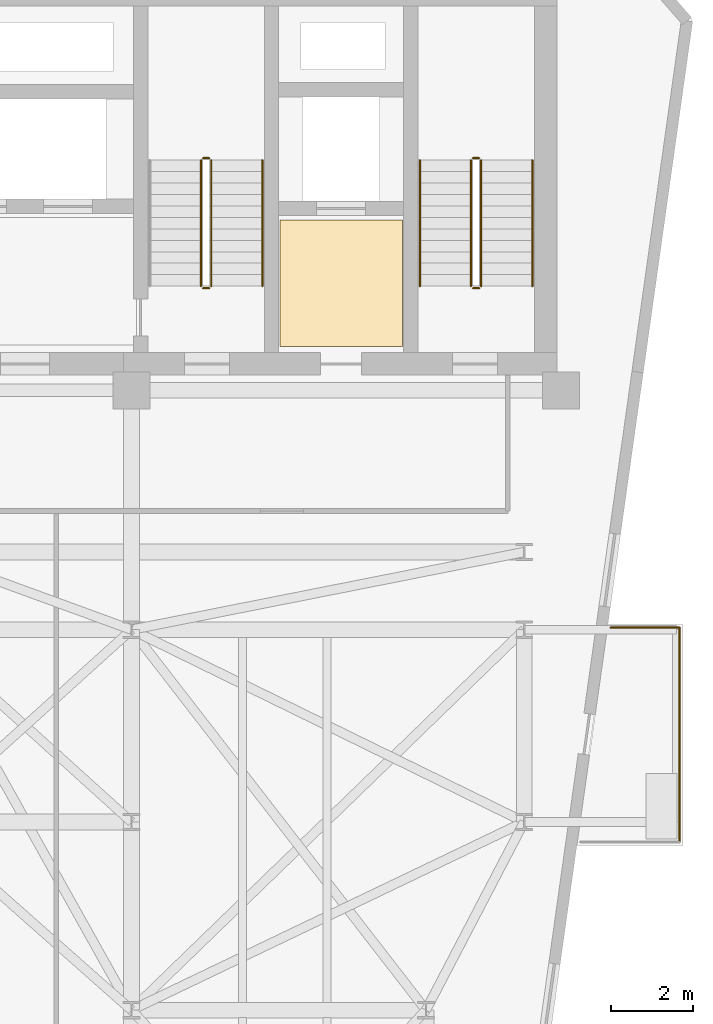
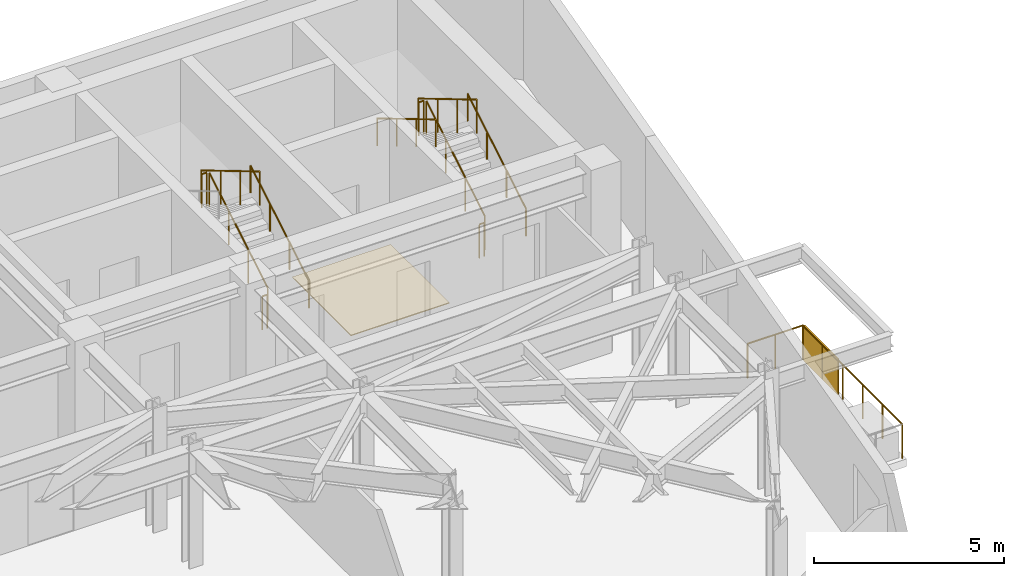
# One storey, part 21 of 21: 13 railings, 1 covering, 1 shading device.
"""IFC4 building model written with IfcOpenShell, lengths in metres."""

from ifc_helpers import new_model, si_unit, direction, frame, origin, origin_2d, place, context, subcontext, project, spatial, polyline, rectangle, circle, outline, extrude, material, layer, layer_set, type_object, element, save


model = new_model("IFC4")

# Units and contexts
model_context = context("Model", 3, precision=1e-05, world=origin(), true_north=direction((0.0, 1.0)))
body_context = subcontext(model_context, "Body", "Model", "MODEL_VIEW")
ifc_project = project(units=[si_unit("LENGTHUNIT", "METRE"), si_unit("AREAUNIT", "SQUARE_METRE"), si_unit("VOLUMEUNIT", "CUBIC_METRE"), si_unit("PLANEANGLEUNIT", "RADIAN"), si_unit("MASSUNIT", "GRAM", prefix="KILO")], contexts=[model_context])

# Site, building, storey
site_placement = place(None, origin())
site = spatial("IfcSite", under=ifc_project, at=site_placement, CompositionType="ELEMENT")
building_placement = place(site_placement, origin())
building = spatial("IfcBuilding", under=site, at=building_placement, Name="Kravanh Interchange Tower", CompositionType="ELEMENT")
storey_placement = place(building_placement, frame((0.0, 0.0, 168.5)))
storey = spatial("IfcBuildingStorey", under=building, at=storey_placement, Name="L40", CompositionType="ELEMENT", Elevation=168.5)

# Covering
ifc_material_1 = material(Name="Cementitious Terrazzo Tile")
ifc_layer_1 = layer(ifc_material_1, 0.030029296875)
ifc_layer_set_1 = layer_set([ifc_layer_1], Name="Honed Terrazzo Lobby Flooring 30mm")
covering_type = type_object("IfcCoveringType", Name="Honed Terrazzo Lobby Flooring 30mm", PredefinedType="FLOORING", material=ifc_layer_set_1)
covering_placement = place(storey_placement, origin())
element("IfcCovering", 1, at=covering_placement, inside=storey, type_object=covering_type, Name="L40 Service Lift Lobby Floor Finish", PredefinedType="FLOORING", context=body_context, shape_type="SweptSolid", body=[
    extrude(outline(polyline([(59.6298828125, 41.52001953125), (62.6201171875, 41.52001953125), (62.6201171875, 38.429931640625), (59.6298828125, 38.429931640625), (59.6298828125, 41.52001953125)])), origin(), (0.0, 0.0, 1.0), 0.030029296875),
])

# Shading device
ifc_material_2 = material(Name="Perforated Anodised Bronze Aluminium", Category="aluminium")
ifc_layer_2 = layer(ifc_material_2, 0.0400390625)
ifc_layer_set_2 = layer_set([ifc_layer_2], Name="Perforated Bronze Balcony Privacy Screen 1150mm")
shading_device_type = type_object("IfcShadingDeviceType", Name="Perforated Bronze Balcony Privacy Screen 1150mm", PredefinedType="USERDEFINED", material=ifc_layer_set_2)
shading_device_placement = place(storey_placement, frame((69.39892578125, 30.580078125, 0.0), z_axis=(0.0, 0.0, 1.0), x_axis=(1.0, 0.0, 0.0)))
element("IfcShadingDevice", 2, at=shading_device_placement, inside=storey, type_object=shading_device_type, Name="L40 E Perforated Bronze BALCONY SCREEN", ObjectType="SCREEN", PredefinedType="USERDEFINED", context=body_context, shape_type="SweptSolid", body=[
    extrude(rectangle(XDim=0.0400390625, YDim=1.800048828125, at=origin_2d()), origin(), (0.0, 0.0, 1.0), 1.14990234375),
])

# Railings
ifc_material_3 = material(Name="Stainless Steel 316", Category="steel")
ifc_layer_3 = layer(ifc_material_3, 0.06005859375)
ifc_layer_set_3 = layer_set([ifc_layer_3], Name="Perimeter Balcony and Terrace Guardrail Stainless 316 1120mm")
railing_type_1 = type_object("IfcRailingType", Name="Perimeter Balcony and Terrace Guardrail Stainless 316 1120mm", PredefinedType="GUARDRAIL", material=ifc_layer_set_3)
railing_1_placement = place(storey_placement, frame((69.39892578125, 31.550048828125, 0.0)))
element("IfcRailing", 3, at=railing_1_placement, inside=storey, type_object=railing_type_1, Name="L40 E Balcony Guardrail 1", PredefinedType="GUARDRAIL", context=body_context, shape_type="SweptSolid", body=[
    extrude(circle(Radius=0.02392578125, at=origin_2d()), frame((0.0, 0.0, 1.09619140625), z_axis=(0.0, -1.0, 0.0), x_axis=(1.0, 0.0, 0.0)), (0.0, 0.0, 1.0), 5.239990234375),
    extrude(circle(Radius=0.02099609375, at=origin_2d()), origin(), (0.0, 0.0, 1.0), 1.072021484375),
    extrude(circle(Radius=0.02099609375, at=origin_2d()), frame((0.0, -1.048095703125, 0.0)), (0.0, 0.0, 1.0), 1.072021484375),
    extrude(circle(Radius=0.02099609375, at=origin_2d()), frame((0.0, -2.095947265625, 0.0)), (0.0, 0.0, 1.0), 1.072021484375),
    extrude(circle(Radius=0.02099609375, at=origin_2d()), frame((0.0, -3.14404296875, 0.0)), (0.0, 0.0, 1.0), 1.072021484375),
    extrude(circle(Radius=0.02099609375, at=origin_2d()), frame((0.0, -4.19189453125, 0.0)), (0.0, 0.0, 1.0), 1.072021484375),
    extrude(circle(Radius=0.02099609375, at=origin_2d()), frame((0.0, -5.239990234375, 0.0)), (0.0, 0.0, 1.0), 1.072021484375),
])
railing_2_placement = place(storey_placement, frame((67.713623046875, 31.550048828125, 0.0)))
element("IfcRailing", 4, at=railing_2_placement, inside=storey, type_object=railing_type_1, Name="L40 E Balcony Guardrail 3", PredefinedType="GUARDRAIL", context=body_context, shape_type="SweptSolid", body=[
    extrude(circle(Radius=0.02392578125, at=origin_2d()), frame((0.0, 0.0, 1.09619140625), z_axis=(1.0, 0.0, 0.0), x_axis=(0.0, 1.0, 0.0)), (0.0, 0.0, 1.0), 1.685302734375),
    extrude(circle(Radius=0.02099609375, at=origin_2d()), origin(), (0.0, 0.0, 1.0), 1.072021484375),
    extrude(circle(Radius=0.02099609375, at=origin_2d()), frame((0.8427734375, 0.0, 0.0)), (0.0, 0.0, 1.0), 1.072021484375),
    extrude(circle(Radius=0.02099609375, at=origin_2d()), frame((1.685302734375, 0.0, 0.0)), (0.0, 0.0, 1.0), 1.072021484375),
])
ifc_material_4 = material(Name="Structural Steel S355", Category="steel")
ifc_layer_4 = layer(ifc_material_4, 0.050048828125)
ifc_layer_set_4 = layer_set([ifc_layer_4], Name="Stair Well Guardrail Structural Steel S355 1100mm")
railing_type_2 = type_object("IfcRailingType", Name="Stair Well Guardrail Structural Steel S355 1100mm", PredefinedType="GUARDRAIL", material=ifc_layer_set_4)
railing_3_placement = place(storey_placement, frame((64.550048828125, 39.89990234375, 0.166748046875)))
element("IfcRailing", 5, at=railing_3_placement, inside=storey, type_object=railing_type_2, Name="L40 ST1 stair guard 1", PredefinedType="GUARDRAIL", context=body_context, shape_type="SweptSolid", body=[
    extrude(circle(Radius=0.02392578125, at=origin_2d()), frame((0.0, 0.0, 1.076171875), z_axis=(0.0, 0.859308565015, 0.511457515432), x_axis=(-1.0, 0.0, 0.0)), (0.0, 0.0, 1.0), 3.58447265625),
    extrude(circle(Radius=0.02099609375, at=origin_2d()), origin(), (0.0, 0.0, 1.0), 1.052001953125),
    extrude(circle(Radius=0.02099609375, at=origin_2d()), frame((0.0, 1.026611328125, 0.611083984375)), (0.0, 0.0, 1.0), 1.052001953125),
    extrude(circle(Radius=0.02099609375, at=origin_2d()), frame((0.0, 2.053466796875, 1.22216796875)), (0.0, 0.0, 1.0), 1.052001953125),
    extrude(circle(Radius=0.02099609375, at=origin_2d()), frame((0.0, 3.080078125, 1.833251953125)), (0.0, 0.0, 1.0), 1.052001953125),
])
railing_4_placement = place(storey_placement, frame((64.5, 43.030029296875, 2.0)))
element("IfcRailing", 6, at=railing_4_placement, inside=storey, type_object=railing_type_2, Name="L40 ST1 stair guard 2", PredefinedType="GUARDRAIL", context=body_context, shape_type="SweptSolid", body=[
    extrude(circle(Radius=0.02392578125, at=origin_2d()), frame((0.0, 0.0, 1.076171875), z_axis=(-1.0, 0.0, 0.0), x_axis=(0.0, -1.0, 0.0)), (0.0, 0.0, 1.0), 0.14990234375),
    extrude(circle(Radius=0.02099609375, at=origin_2d()), origin(), (0.0, 0.0, 1.0), 1.052001953125),
    extrude(circle(Radius=0.02099609375, at=origin_2d()), frame((-0.14990234375, 0.0, 0.0)), (0.0, 0.0, 1.0), 1.052001953125),
])
railing_5_placement = place(storey_placement, frame((64.300048828125, 42.97998046875, 2.166748046875)))
element("IfcRailing", 7, at=railing_5_placement, inside=storey, type_object=railing_type_2, Name="L40 ST1 stair guard 3", PredefinedType="GUARDRAIL", context=body_context, shape_type="SweptSolid", body=[
    extrude(circle(Radius=0.02392578125, at=origin_2d()), frame((0.0, 0.0, 1.076171875), z_axis=(0.0, -0.859308565015, 0.511457515432), x_axis=(1.0, 0.0, 0.0)), (0.0, 0.0, 1.0), 3.58447265625),
    extrude(circle(Radius=0.02099609375, at=origin_2d()), origin(), (0.0, 0.0, 1.0), 1.052001953125),
    extrude(circle(Radius=0.02099609375, at=origin_2d()), frame((0.0, -1.026611328125, 0.611083984375)), (0.0, 0.0, 1.0), 1.052001953125),
    extrude(circle(Radius=0.02099609375, at=origin_2d()), frame((0.0, -2.053466796875, 1.22216796875)), (0.0, 0.0, 1.0), 1.052001953125),
    extrude(circle(Radius=0.02099609375, at=origin_2d()), frame((0.0, -3.080078125, 1.833251953125)), (0.0, 0.0, 1.0), 1.052001953125),
])
railing_6_placement = place(storey_placement, frame((64.5, 39.85009765625, 0.0)))
element("IfcRailing", 8, at=railing_6_placement, inside=storey, type_object=railing_type_2, Name="L40 ST1 stair guard 4", PredefinedType="GUARDRAIL", context=body_context, shape_type="SweptSolid", body=[
    extrude(circle(Radius=0.02392578125, at=origin_2d()), frame((0.0, 0.0, 1.076171875), z_axis=(-1.0, 0.0, 0.0), x_axis=(0.0, -1.0, 0.0)), (0.0, 0.0, 1.0), 0.14990234375),
    extrude(circle(Radius=0.02099609375, at=origin_2d()), origin(), (0.0, 0.0, 1.0), 1.052001953125),
    extrude(circle(Radius=0.02099609375, at=origin_2d()), frame((-0.14990234375, 0.0, 0.0)), (0.0, 0.0, 1.0), 1.052001953125),
])
railing_7_placement = place(storey_placement, frame((57.949951171875, 39.89990234375, 0.166748046875)))
element("IfcRailing", 9, at=railing_7_placement, inside=storey, type_object=railing_type_2, Name="L40 ST2 stair guard 1", PredefinedType="GUARDRAIL", context=body_context, shape_type="SweptSolid", body=[
    extrude(circle(Radius=0.02392578125, at=origin_2d()), frame((0.0, 0.0, 1.076171875), z_axis=(0.0, 0.859308565015, 0.511457515432), x_axis=(-1.0, 0.0, 0.0)), (0.0, 0.0, 1.0), 3.58447265625),
    extrude(circle(Radius=0.02099609375, at=origin_2d()), origin(), (0.0, 0.0, 1.0), 1.052001953125),
    extrude(circle(Radius=0.02099609375, at=origin_2d()), frame((0.0, 1.026611328125, 0.611083984375)), (0.0, 0.0, 1.0), 1.052001953125),
    extrude(circle(Radius=0.02099609375, at=origin_2d()), frame((0.0, 2.053466796875, 1.22216796875)), (0.0, 0.0, 1.0), 1.052001953125),
    extrude(circle(Radius=0.02099609375, at=origin_2d()), frame((0.0, 3.080078125, 1.833251953125)), (0.0, 0.0, 1.0), 1.052001953125),
])
railing_8_placement = place(storey_placement, frame((57.89990234375, 43.030029296875, 2.0)))
element("IfcRailing", 10, at=railing_8_placement, inside=storey, type_object=railing_type_2, Name="L40 ST2 stair guard 2", PredefinedType="GUARDRAIL", context=body_context, shape_type="SweptSolid", body=[
    extrude(circle(Radius=0.02392578125, at=origin_2d()), frame((0.0, 0.0, 1.076171875), z_axis=(-1.0, 0.0, 0.0), x_axis=(0.0, -1.0, 0.0)), (0.0, 0.0, 1.0), 0.14990234375),
    extrude(circle(Radius=0.02099609375, at=origin_2d()), origin(), (0.0, 0.0, 1.0), 1.052001953125),
    extrude(circle(Radius=0.02099609375, at=origin_2d()), frame((-0.14990234375, 0.0, 0.0)), (0.0, 0.0, 1.0), 1.052001953125),
])
railing_9_placement = place(storey_placement, frame((57.699951171875, 42.97998046875, 2.166748046875)))
element("IfcRailing", 11, at=railing_9_placement, inside=storey, type_object=railing_type_2, Name="L40 ST2 stair guard 3", PredefinedType="GUARDRAIL", context=body_context, shape_type="SweptSolid", body=[
    extrude(circle(Radius=0.02392578125, at=origin_2d()), frame((0.0, 0.0, 1.076171875), z_axis=(0.0, -0.859308565015, 0.511457515432), x_axis=(1.0, 0.0, 0.0)), (0.0, 0.0, 1.0), 3.58447265625),
    extrude(circle(Radius=0.02099609375, at=origin_2d()), origin(), (0.0, 0.0, 1.0), 1.052001953125),
    extrude(circle(Radius=0.02099609375, at=origin_2d()), frame((0.0, -1.026611328125, 0.611083984375)), (0.0, 0.0, 1.0), 1.052001953125),
    extrude(circle(Radius=0.02099609375, at=origin_2d()), frame((0.0, -2.053466796875, 1.22216796875)), (0.0, 0.0, 1.0), 1.052001953125),
    extrude(circle(Radius=0.02099609375, at=origin_2d()), frame((0.0, -3.080078125, 1.833251953125)), (0.0, 0.0, 1.0), 1.052001953125),
])
railing_10_placement = place(storey_placement, frame((57.89990234375, 39.85009765625, 0.0)))
element("IfcRailing", 12, at=railing_10_placement, inside=storey, type_object=railing_type_2, Name="L40 ST2 stair guard 4", PredefinedType="GUARDRAIL", context=body_context, shape_type="SweptSolid", body=[
    extrude(circle(Radius=0.02392578125, at=origin_2d()), frame((0.0, 0.0, 1.076171875), z_axis=(-1.0, 0.0, 0.0), x_axis=(0.0, -1.0, 0.0)), (0.0, 0.0, 1.0), 0.14990234375),
    extrude(circle(Radius=0.02099609375, at=origin_2d()), origin(), (0.0, 0.0, 1.0), 1.052001953125),
    extrude(circle(Radius=0.02099609375, at=origin_2d()), frame((-0.14990234375, 0.0, 0.0)), (0.0, 0.0, 1.0), 1.052001953125),
])
ifc_material_5 = material(Name="Stainless Steel 304", Category="steel")
ifc_layer_5 = layer(ifc_material_5, 0.044921875)
ifc_layer_set_5 = layer_set([ifc_layer_5], Name="Tubular Stair Handrail Stainless 304 900mm")
railing_type_3 = type_object("IfcRailingType", Name="Tubular Stair Handrail Stainless 304 900mm", PredefinedType="HANDRAIL", material=ifc_layer_set_5)
railing_11_placement = place(storey_placement, frame((65.800048828125, 39.89990234375, 0.166748046875)))
element("IfcRailing", 13, at=railing_11_placement, inside=storey, type_object=railing_type_3, Name="L40 ST1 stair handrail 1", PredefinedType="HANDRAIL", context=body_context, shape_type="SweptSolid", body=[
    extrude(circle(Radius=0.02392578125, at=origin_2d()), frame((0.0, 0.0, 0.8759765625), z_axis=(0.0, 0.859308565015, 0.511457515432), x_axis=(-1.0, 0.0, 0.0)), (0.0, 0.0, 1.0), 3.58447265625),
    extrude(circle(Radius=0.02099609375, at=origin_2d()), origin(), (0.0, 0.0, 1.0), 0.851806640625),
    extrude(circle(Radius=0.02099609375, at=origin_2d()), frame((0.0, 1.026611328125, 0.611083984375)), (0.0, 0.0, 1.0), 0.851806640625),
    extrude(circle(Radius=0.02099609375, at=origin_2d()), frame((0.0, 2.053466796875, 1.22216796875)), (0.0, 0.0, 1.0), 0.851806640625),
    extrude(circle(Radius=0.02099609375, at=origin_2d()), frame((0.0, 3.080078125, 1.833251953125)), (0.0, 0.0, 1.0), 0.851806640625),
])
railing_12_placement = place(storey_placement, frame((63.050048828125, 42.97998046875, 2.166748046875)))
element("IfcRailing", 14, at=railing_12_placement, inside=storey, type_object=railing_type_3, Name="L40 ST1 stair handrail 2", PredefinedType="HANDRAIL", context=body_context, shape_type="SweptSolid", body=[
    extrude(circle(Radius=0.02392578125, at=origin_2d()), frame((0.0, 0.0, 0.8759765625), z_axis=(0.0, -0.859308565015, 0.511457515432), x_axis=(1.0, 0.0, 0.0)), (0.0, 0.0, 1.0), 3.58447265625),
    extrude(circle(Radius=0.02099609375, at=origin_2d()), origin(), (0.0, 0.0, 1.0), 0.851806640625),
    extrude(circle(Radius=0.02099609375, at=origin_2d()), frame((0.0, -1.026611328125, 0.611083984375)), (0.0, 0.0, 1.0), 0.851806640625),
    extrude(circle(Radius=0.02099609375, at=origin_2d()), frame((0.0, -2.053466796875, 1.22216796875)), (0.0, 0.0, 1.0), 0.851806640625),
    extrude(circle(Radius=0.02099609375, at=origin_2d()), frame((0.0, -3.080078125, 1.833251953125)), (0.0, 0.0, 1.0), 0.851806640625),
])
railing_13_placement = place(storey_placement, frame((59.199951171875, 39.89990234375, 0.166748046875)))
element("IfcRailing", 15, at=railing_13_placement, inside=storey, type_object=railing_type_3, Name="L40 ST2 stair handrail 1", PredefinedType="HANDRAIL", context=body_context, shape_type="SweptSolid", body=[
    extrude(circle(Radius=0.02392578125, at=origin_2d()), frame((0.0, 0.0, 0.8759765625), z_axis=(0.0, 0.859308565015, 0.511457515432), x_axis=(-1.0, 0.0, 0.0)), (0.0, 0.0, 1.0), 3.58447265625),
    extrude(circle(Radius=0.02099609375, at=origin_2d()), origin(), (0.0, 0.0, 1.0), 0.851806640625),
    extrude(circle(Radius=0.02099609375, at=origin_2d()), frame((0.0, 1.026611328125, 0.611083984375)), (0.0, 0.0, 1.0), 0.851806640625),
    extrude(circle(Radius=0.02099609375, at=origin_2d()), frame((0.0, 2.053466796875, 1.22216796875)), (0.0, 0.0, 1.0), 0.851806640625),
    extrude(circle(Radius=0.02099609375, at=origin_2d()), frame((0.0, 3.080078125, 1.833251953125)), (0.0, 0.0, 1.0), 0.851806640625),
])

save(model, "model.ifc")
